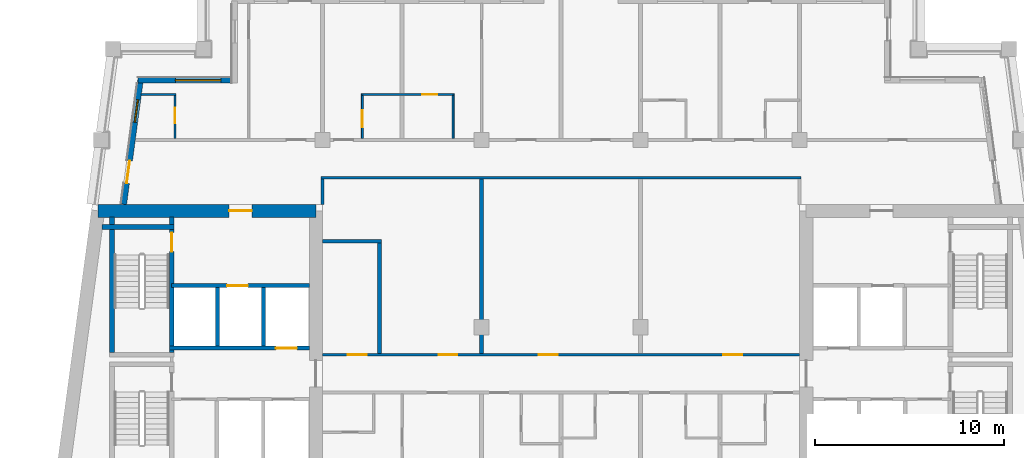
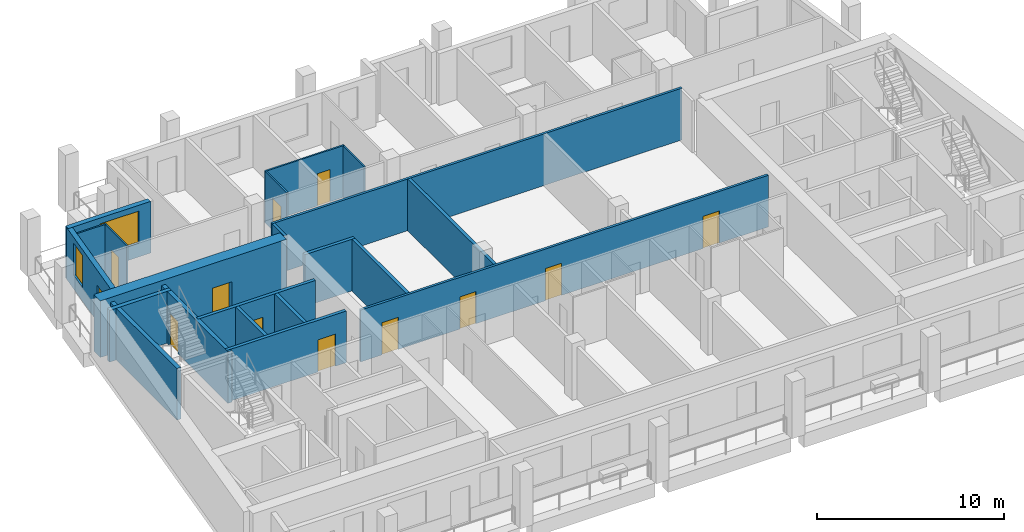
# One storey, part 4 of 13: 21 walls, 12 doors, 2 windows, 14 openings.
"""IFC4 building model written with IfcOpenShell, lengths in metres."""

from ifc_helpers import new_model, si_unit, direction, frame, frame_2d, origin, place, context, subcontext, project, spatial, rectangle, extrude, material, layer, layer_set, type_object, element, fill, save


model = new_model("IFC4")

# Units and contexts
model_context = context("Model", 3, precision=1e-05, world=origin(), true_north=direction((0.0, 1.0)))
body_context = subcontext(model_context, "Body", "Model", "MODEL_VIEW")
ifc_project = project(units=[si_unit("LENGTHUNIT", "METRE"), si_unit("AREAUNIT", "SQUARE_METRE"), si_unit("VOLUMEUNIT", "CUBIC_METRE"), si_unit("PLANEANGLEUNIT", "RADIAN"), si_unit("MASSUNIT", "GRAM", prefix="KILO")], contexts=[model_context])

# Site, building, storey
site_placement = place(None, origin())
site = spatial("IfcSite", under=ifc_project, at=site_placement, CompositionType="ELEMENT")
building_placement = place(site_placement, origin())
building = spatial("IfcBuilding", under=site, at=building_placement, Name="Candeia Pilgrim Tower and Theatre", CompositionType="ELEMENT")
storey_placement = place(building_placement, frame((0.0, 0.0, 277.5)))
storey = spatial("IfcBuildingStorey", under=building, at=storey_placement, Name="L67", CompositionType="ELEMENT", Elevation=277.5)

# Wall, opening, door
ifc_material_1 = material(Name="Concrete C40/50", Category="concrete")
ifc_layer_1 = layer(ifc_material_1, 0.699951171875)
ifc_layer_set_1 = layer_set([ifc_layer_1], Name="Core wall 700 C40/50")
wall_type_1 = type_object("IfcWallType", Name="Core wall 700 C40/50", PredefinedType="SHEAR", material=ifc_layer_set_1)
wall_1_placement = place(storey_placement, frame((88.936767578125, 132.050048828125, 0.0), z_axis=(0.0, 0.0, 1.0), x_axis=(1.0, 0.0, 0.0)))
wall_1 = element("IfcWall", 1, at=wall_1_placement, inside=storey, type_object=wall_type_1, Name="Core wall W1", PredefinedType="SHEAR", context=body_context, shape_type="SweptSolid", body=[
    extrude(rectangle(XDim=11.51318359375, YDim=0.699951171875, at=frame_2d((5.756591796875, 0.0))), origin(), (0.0, 0.0, 1.0), 3.699951171875),
])
opening_1_placement = place(wall_1_placement, frame((6.9267578125, 0.0, 0.0)))
opening_1 = element("IfcOpeningElement", 2, at=opening_1_placement, cuts=wall_1, Name="Opening L67-D048", PredefinedType="OPENING", context=body_context, shape_type="SweptSolid", body=[
    extrude(rectangle(XDim=1.199951171875, YDim=2.10009765625, at=frame_2d((0.60009765625, 1.050048828125))), frame((0.0, 0.35986328125, 0.0), z_axis=(0.0, -1.0, 0.0), x_axis=(1.0, 0.0, 0.0)), (0.0, 0.0, 1.0), 0.719970703125),
])
ifc_material_2 = material(Name="Steel fire door set", Category="steel")
door_type_1 = type_object("IfcDoorType", Name="D-1200-FD60", OperationType="NOTDEFINED", PredefinedType="DOOR", material=ifc_material_2)
door_1_placement = place(opening_1_placement, origin())
door_1 = element("IfcDoor", 3, at=door_1_placement, inside=storey, type_object=door_type_1, Name="Door L67-D048", OperationType="SINGLE_SWING_LEFT", OverallHeight=2.10009765625, OverallWidth=1.199951171875, PredefinedType="DOOR", context=body_context, shape_type="SweptSolid", body=[
    extrude(rectangle(XDim=1.199951171875, YDim=2.10009765625, at=frame_2d((0.60009765625, 1.050048828125))), frame((0.0, 0.02490234375, 0.0), z_axis=(0.0, -1.0, 0.0), x_axis=(1.0, 0.0, 0.0)), (0.0, 0.0, 1.0), 0.050048828125),
])
fill(opening_1, door_1)

# Wall, openings, door, window
ifc_material_3 = material(Name="Ceramic block masonry", Category="masonry")
ifc_layer_2 = layer(ifc_material_3, 0.300048828125)
ifc_layer_set_2 = layer_set([ifc_layer_2], Name="EW1 glazing-line wall 300")
wall_type_2 = type_object("IfcWallType", Name="EW1 glazing-line wall 300", PredefinedType="SOLIDWALL", material=ifc_layer_set_2)
wall_2_placement = place(storey_placement, frame((91.177490234375, 138.949951171875, 0.0), z_axis=(0.0, 0.0, 1.0), x_axis=(-0.133426664613, -0.991058689065, 0.0)))
wall_2 = element("IfcWall", 4, at=wall_2_placement, inside=storey, type_object=wall_type_2, Name="External wall L67-0.0", PredefinedType="SOLIDWALL", context=body_context, shape_type="SweptSolid", body=[
    extrude(rectangle(XDim=6.609130859375, YDim=0.300048828125, at=frame_2d((3.3046875, 0.0))), origin(), (0.0, 0.0, 1.0), 3.3798828125),
])
opening_2_placement = place(wall_2_placement, frame((1.039306640625, 0.0, 0.89990234375)))
opening_2 = element("IfcOpeningElement", 5, at=opening_2_placement, cuts=wall_2, Name="Opening W-B", PredefinedType="OPENING", context=body_context, shape_type="SweptSolid", body=[
    extrude(rectangle(XDim=1.199951171875, YDim=2.10009765625, at=frame_2d((0.60009765625, 1.050048828125))), frame((0.0, 0.16015625, 0.0), z_axis=(0.0, -1.0, 0.0), x_axis=(1.0, 0.0, 0.0)), (0.0, 0.0, 1.0), 0.320068359375),
])
opening_3_placement = place(wall_2_placement, frame((4.293701171875, 0.0, 0.0)))
opening_3 = element("IfcOpeningElement", 6, at=opening_3_placement, cuts=wall_2, Name="Opening L67-ED628", PredefinedType="OPENING", context=body_context, shape_type="SweptSolid", body=[
    extrude(rectangle(XDim=1.199951171875, YDim=2.39990234375, at=frame_2d((0.60009765625, 1.199951171875))), frame((0.0, 0.16015625, 0.0), z_axis=(0.0, -1.0, 0.0), x_axis=(1.0, 0.0, 0.0)), (0.0, 0.0, 1.0), 0.320068359375),
])
ifc_material_4 = material(Name="Aluminium framed glazed door", Category="aluminium")
door_type_2 = type_object("IfcDoorType", Name="Loggia door 1200x2400", OperationType="DOUBLE_DOOR_SINGLE_SWING", PredefinedType="DOOR", material=ifc_material_4)
door_2_placement = place(opening_3_placement, origin())
door_2 = element("IfcDoor", 7, at=door_2_placement, inside=storey, type_object=door_type_2, Name="Loggia door L67-ED628", OperationType="DOUBLE_DOOR_SINGLE_SWING", OverallHeight=2.39990234375, OverallWidth=1.199951171875, PredefinedType="DOOR", context=body_context, shape_type="SweptSolid", body=[
    extrude(rectangle(XDim=1.199951171875, YDim=2.39990234375, at=frame_2d((0.60009765625, 1.199951171875))), frame((0.0, 0.02490234375, 0.0), z_axis=(0.0, -1.0, 0.0), x_axis=(1.0, 0.0, 0.0)), (0.0, 0.0, 1.0), 0.050048828125),
])
fill(opening_3, door_2)
ifc_material_5 = material(Name="Aluminium framed double glazing", Category="aluminium")
window_type_1 = type_object("IfcWindowType", Name="W-B window 1200x2100", PartitioningType="SINGLE_PANEL", PredefinedType="WINDOW", material=ifc_material_5)
window_1_placement = place(opening_2_placement, origin())
window_1 = element("IfcWindow", 8, at=window_1_placement, inside=storey, type_object=window_type_1, Name="Window W-B L67", OverallHeight=2.10009765625, OverallWidth=1.199951171875, PartitioningType="SINGLE_PANEL", PredefinedType="WINDOW", context=body_context, shape_type="SweptSolid", body=[
    extrude(rectangle(XDim=1.199951171875, YDim=2.10009765625, at=frame_2d((0.60009765625, 1.050048828125))), frame((0.0, 0.030029296875, 0.0), z_axis=(0.0, -1.0, 0.0), x_axis=(1.0, 0.0, 0.0)), (0.0, 0.0, 1.0), 0.06005859375),
])
fill(opening_2, window_1)

# Wall, opening, window
wall_3_placement = place(storey_placement, frame((96.14990234375, 138.949951171875, 0.0), z_axis=(0.0, 0.0, 1.0), x_axis=(-1.0, 0.0, 0.0)))
wall_3 = element("IfcWall", 9, at=wall_3_placement, inside=storey, type_object=wall_type_2, Name="External wall L67-7.0", PredefinedType="SOLIDWALL", context=body_context, shape_type="SweptSolid", body=[
    extrude(rectangle(XDim=5.103759765625, YDim=0.300048828125, at=frame_2d((2.5517578125, 0.0))), origin(), (0.0, 0.0, 1.0), 3.3798828125),
])
opening_4_placement = place(wall_3_placement, frame((0.72509765625, 0.0, 0.89990234375)))
opening_4 = element("IfcOpeningElement", 10, at=opening_4_placement, cuts=wall_3, Name="Opening W-A", PredefinedType="OPENING", context=body_context, shape_type="SweptSolid", body=[
    extrude(rectangle(XDim=2.39990234375, YDim=2.10009765625, at=frame_2d((1.199951171875, 1.050048828125))), frame((0.0, 0.16015625, 0.0), z_axis=(0.0, -1.0, 0.0), x_axis=(1.0, 0.0, 0.0)), (0.0, 0.0, 1.0), 0.320068359375),
])
window_type_2 = type_object("IfcWindowType", Name="W-A window 2400x2100", PartitioningType="DOUBLE_PANEL_VERTICAL", PredefinedType="WINDOW", material=ifc_material_5)
window_2_placement = place(opening_4_placement, origin())
window_2 = element("IfcWindow", 11, at=window_2_placement, inside=storey, type_object=window_type_2, Name="Window W-A L67", OverallHeight=2.10009765625, OverallWidth=2.39990234375, PartitioningType="SINGLE_PANEL", PredefinedType="WINDOW", context=body_context, shape_type="SweptSolid", body=[
    extrude(rectangle(XDim=2.39990234375, YDim=2.10009765625, at=frame_2d((1.199951171875, 1.050048828125))), frame((0.0, 0.030029296875, 0.0), z_axis=(0.0, -1.0, 0.0), x_axis=(1.0, 0.0, 0.0)), (0.0, 0.0, 1.0), 0.06005859375),
])
fill(opening_4, window_2)

# Wall
ifc_material_6 = material(Name="Gypsum board partition on steel studs", Category="steel")
ifc_layer_3 = layer(ifc_material_6, 0.10009765625)
ifc_layer_set_3 = layer_set([ifc_layer_3], Name="PW-100 room partition")
wall_type_3 = type_object("IfcWallType", Name="PW-100 room partition", PredefinedType="PARTITIONING", material=ifc_layer_set_3)
wall_4_placement = place(storey_placement, frame((91.2177734375, 138.199951171875, 0.0), z_axis=(0.0, 0.0, 1.0), x_axis=(1.0, 0.0, 0.0)))
element("IfcWall", 12, at=wall_4_placement, inside=storey, type_object=wall_type_3, Name="Room partition L67-042", PredefinedType="PARTITIONING", context=body_context, shape_type="SweptSolid", body=[
    extrude(rectangle(XDim=1.832275390625, YDim=0.10009765625, at=frame_2d((0.916015625, 0.0))), origin(), (0.0, 0.0, 1.0), 3.3798828125),
])

# Wall, opening, door
wall_5_placement = place(storey_placement, frame((102.85009765625, 138.199951171875, 0.0), z_axis=(0.0, 0.0, 1.0), x_axis=(1.0, 0.0, 0.0)))
wall_5 = element("IfcWall", 13, at=wall_5_placement, inside=storey, type_object=wall_type_3, Name="Room partition L67-043", PredefinedType="PARTITIONING", context=body_context, shape_type="SweptSolid", body=[
    extrude(rectangle(XDim=4.89990234375, YDim=0.10009765625, at=frame_2d((2.449951171875, 0.0))), origin(), (0.0, 0.0, 1.0), 3.3798828125),
])
opening_5_placement = place(wall_5_placement, frame((3.219970703125, 0.0, 0.0)))
opening_5 = element("IfcOpeningElement", 14, at=opening_5_placement, cuts=wall_5, Name="Opening L67-D035", PredefinedType="OPENING", context=body_context, shape_type="SweptSolid", body=[
    extrude(rectangle(XDim=0.800048828125, YDim=2.10009765625, at=frame_2d((0.39990234375, 1.050048828125))), frame((0.0, 0.06005859375, 0.0), z_axis=(0.0, -1.0, 0.0), x_axis=(1.0, 0.0, 0.0)), (0.0, 0.0, 1.0), 0.1201171875),
])
ifc_material_7 = material(Name="Timber door leaf", Category="wood")
door_type_3 = type_object("IfcDoorType", Name="D-800", OperationType="NOTDEFINED", PredefinedType="DOOR", material=ifc_material_7)
door_3_placement = place(opening_5_placement, origin())
door_3 = element("IfcDoor", 15, at=door_3_placement, inside=storey, type_object=door_type_3, Name="Door L67-D035", OperationType="SINGLE_SWING_RIGHT", OverallHeight=2.10009765625, OverallWidth=0.800048828125, PredefinedType="DOOR", context=body_context, shape_type="SweptSolid", body=[
    extrude(rectangle(XDim=0.800048828125, YDim=2.10009765625, at=frame_2d((0.39990234375, 1.050048828125))), frame((0.0, 0.02490234375, 0.0), z_axis=(0.0, -1.0, 0.0), x_axis=(1.0, 0.0, 0.0)), (0.0, 0.0, 1.0), 0.050048828125),
])
fill(opening_5, door_3)

wall_6_placement = place(storey_placement, frame((93.0, 135.875, 0.0), z_axis=(0.0, 0.0, 1.0), x_axis=(0.0, 1.0, 0.0)))
wall_6 = element("IfcWall", 16, at=wall_6_placement, inside=storey, type_object=wall_type_3, Name="Room partition L67-053", PredefinedType="PARTITIONING", context=body_context, shape_type="SweptSolid", body=[
    extrude(rectangle(XDim=2.27490234375, YDim=0.10009765625, at=frame_2d((1.137451171875, 0.0))), origin(), (0.0, 0.0, 1.0), 3.3798828125),
])
opening_6_placement = place(wall_6_placement, frame((0.81494140625, 0.0, 0.0)))
opening_6 = element("IfcOpeningElement", 17, at=opening_6_placement, cuts=wall_6, Name="Opening L67-D030", PredefinedType="OPENING", context=body_context, shape_type="SweptSolid", body=[
    extrude(rectangle(XDim=0.800048828125, YDim=2.10009765625, at=frame_2d((0.39990234375, 1.050048828125))), frame((0.0, 0.06005859375, 0.0), z_axis=(0.0, -1.0, 0.0), x_axis=(1.0, 0.0, 0.0)), (0.0, 0.0, 1.0), 0.1201171875),
])
door_4_placement = place(opening_6_placement, origin())
door_4 = element("IfcDoor", 18, at=door_4_placement, inside=storey, type_object=door_type_3, Name="Door L67-D030", OperationType="SINGLE_SWING_LEFT", OverallHeight=2.10009765625, OverallWidth=0.800048828125, PredefinedType="DOOR", context=body_context, shape_type="SweptSolid", body=[
    extrude(rectangle(XDim=0.800048828125, YDim=2.10009765625, at=frame_2d((0.39990234375, 1.050048828125))), frame((0.0, 0.02490234375, 0.0), z_axis=(0.0, -1.0, 0.0), x_axis=(1.0, 0.0, 0.0)), (0.0, 0.0, 1.0), 0.050048828125),
])
fill(opening_6, door_4)

wall_7_placement = place(storey_placement, frame((102.89990234375, 135.875, 0.0), z_axis=(0.0, 0.0, 1.0), x_axis=(0.0, 1.0, 0.0)))
wall_7 = element("IfcWall", 19, at=wall_7_placement, inside=storey, type_object=wall_type_3, Name="Room partition L67-064", PredefinedType="PARTITIONING", context=body_context, shape_type="SweptSolid", body=[
    extrude(rectangle(XDim=2.27490234375, YDim=0.10009765625, at=frame_2d((1.137451171875, 0.0))), origin(), (0.0, 0.0, 1.0), 3.3798828125),
])
opening_7_placement = place(wall_7_placement, frame((0.594970703125, 0.0, 0.0)))
opening_7 = element("IfcOpeningElement", 20, at=opening_7_placement, cuts=wall_7, Name="Opening L67-D032", PredefinedType="OPENING", context=body_context, shape_type="SweptSolid", body=[
    extrude(rectangle(XDim=0.89990234375, YDim=2.10009765625, at=frame_2d((0.449951171875, 1.050048828125))), frame((0.0, 0.06005859375, 0.0), z_axis=(0.0, -1.0, 0.0), x_axis=(1.0, 0.0, 0.0)), (0.0, 0.0, 1.0), 0.1201171875),
])
door_type_4 = type_object("IfcDoorType", Name="D-900", OperationType="NOTDEFINED", PredefinedType="DOOR", material=ifc_material_7)
door_5_placement = place(opening_7_placement, origin())
door_5 = element("IfcDoor", 21, at=door_5_placement, inside=storey, type_object=door_type_4, Name="Door L67-D032", OperationType="SINGLE_SWING_LEFT", OverallHeight=2.10009765625, OverallWidth=0.89990234375, PredefinedType="DOOR", context=body_context, shape_type="SweptSolid", body=[
    extrude(rectangle(XDim=0.89990234375, YDim=2.10009765625, at=frame_2d((0.449951171875, 1.050048828125))), frame((0.0, 0.02490234375, 0.0), z_axis=(0.0, -1.0, 0.0), x_axis=(1.0, 0.0, 0.0)), (0.0, 0.0, 1.0), 0.050048828125),
])
fill(opening_7, door_5)

# Wall
wall_8_placement = place(storey_placement, frame((107.699951171875, 135.875, 0.0), z_axis=(0.0, 0.0, 1.0), x_axis=(0.0, 1.0, 0.0)))
element("IfcWall", 22, at=wall_8_placement, inside=storey, type_object=wall_type_3, Name="Room partition L67-069", PredefinedType="PARTITIONING", context=body_context, shape_type="SweptSolid", body=[
    extrude(rectangle(XDim=2.27490234375, YDim=0.10009765625, at=frame_2d((1.137451171875, 0.0))), origin(), (0.0, 0.0, 1.0), 3.3798828125),
])

# Wall, openings, doors
ifc_layer_4 = layer(ifc_material_6, 0.14990234375)
ifc_layer_set_4 = layer_set([ifc_layer_4], Name="PW-150 unit wall")
wall_type_4 = type_object("IfcWallType", Name="PW-150 unit wall", PredefinedType="PARTITIONING", material=ifc_layer_set_4)
wall_9_placement = place(storey_placement, frame((100.800048828125, 124.449951171875, 0.0), z_axis=(0.0, 0.0, 1.0), x_axis=(1.0, 0.0, 0.0)))
wall_9 = element("IfcWall", 23, at=wall_9_placement, inside=storey, type_object=wall_type_4, Name="Unit wall L67-028", PredefinedType="PARTITIONING", context=body_context, shape_type="SweptSolid", body=[
    extrude(rectangle(XDim=25.199951171875, YDim=0.14990234375, at=frame_2d((12.60009765625, 0.0))), origin(), (0.0, 0.0, 1.0), 3.3798828125),
])
opening_8_placement = place(wall_9_placement, frame((6.125, 0.0, 0.0)))
opening_8 = element("IfcOpeningElement", 24, at=opening_8_placement, cuts=wall_9, Name="Opening L67-D042", PredefinedType="OPENING", context=body_context, shape_type="SweptSolid", body=[
    extrude(rectangle(XDim=1.0, YDim=2.10009765625, at=frame_2d((0.5, 1.050048828125))), frame((0.0, 0.0849609375, 0.0), z_axis=(0.0, -1.0, 0.0), x_axis=(1.0, 0.0, 0.0)), (0.0, 0.0, 1.0), 0.169921875),
])
opening_9_placement = place(wall_9_placement, frame((1.324951171875, 0.0, 0.0)))
opening_9 = element("IfcOpeningElement", 25, at=opening_9_placement, cuts=wall_9, Name="Opening L67-D043", PredefinedType="OPENING", context=body_context, shape_type="SweptSolid", body=[
    extrude(rectangle(XDim=1.0, YDim=2.10009765625, at=frame_2d((0.5, 1.050048828125))), frame((0.0, 0.0849609375, 0.0), z_axis=(0.0, -1.0, 0.0), x_axis=(1.0, 0.0, 0.0)), (0.0, 0.0, 1.0), 0.169921875),
])
opening_10_placement = place(wall_9_placement, frame((11.429931640625, 0.0, 0.0)))
opening_10 = element("IfcOpeningElement", 26, at=opening_10_placement, cuts=wall_9, Name="Opening L67-D044", PredefinedType="OPENING", context=body_context, shape_type="SweptSolid", body=[
    extrude(rectangle(XDim=1.0, YDim=2.10009765625, at=frame_2d((0.5, 1.050048828125))), frame((0.0, 0.0849609375, 0.0), z_axis=(0.0, -1.0, 0.0), x_axis=(1.0, 0.0, 0.0)), (0.0, 0.0, 1.0), 0.169921875),
])
opening_11_placement = place(wall_9_placement, frame((21.169921875, 0.0, 0.0)))
opening_11 = element("IfcOpeningElement", 27, at=opening_11_placement, cuts=wall_9, Name="Opening L67-D045", PredefinedType="OPENING", context=body_context, shape_type="SweptSolid", body=[
    extrude(rectangle(XDim=1.0, YDim=2.10009765625, at=frame_2d((0.5, 1.050048828125))), frame((0.0, 0.0849609375, 0.0), z_axis=(0.0, -1.0, 0.0), x_axis=(1.0, 0.0, 0.0)), (0.0, 0.0, 1.0), 0.169921875),
])
door_type_5 = type_object("IfcDoorType", Name="D-1000-FD30S", OperationType="NOTDEFINED", PredefinedType="DOOR", material=ifc_material_2)
door_6_placement = place(opening_8_placement, origin())
door_6 = element("IfcDoor", 28, at=door_6_placement, inside=storey, type_object=door_type_5, Name="Door L67-D042", OperationType="SINGLE_SWING_LEFT", OverallHeight=2.10009765625, OverallWidth=1.0, PredefinedType="DOOR", context=body_context, shape_type="SweptSolid", body=[
    extrude(rectangle(XDim=1.0, YDim=2.10009765625, at=frame_2d((0.5, 1.050048828125))), frame((0.0, 0.02490234375, 0.0), z_axis=(0.0, -1.0, 0.0), x_axis=(1.0, 0.0, 0.0)), (0.0, 0.0, 1.0), 0.050048828125),
])
fill(opening_8, door_6)
door_7_placement = place(opening_9_placement, origin())
door_7 = element("IfcDoor", 29, at=door_7_placement, inside=storey, type_object=door_type_5, Name="Door L67-D043", OperationType="SINGLE_SWING_RIGHT", OverallHeight=2.10009765625, OverallWidth=1.0, PredefinedType="DOOR", context=body_context, shape_type="SweptSolid", body=[
    extrude(rectangle(XDim=1.0, YDim=2.10009765625, at=frame_2d((0.5, 1.050048828125))), frame((0.0, 0.02490234375, 0.0), z_axis=(0.0, -1.0, 0.0), x_axis=(1.0, 0.0, 0.0)), (0.0, 0.0, 1.0), 0.050048828125),
])
fill(opening_9, door_7)
door_8_placement = place(opening_10_placement, origin())
door_8 = element("IfcDoor", 30, at=door_8_placement, inside=storey, type_object=door_type_5, Name="Door L67-D044", OperationType="SINGLE_SWING_LEFT", OverallHeight=2.10009765625, OverallWidth=1.0, PredefinedType="DOOR", context=body_context, shape_type="SweptSolid", body=[
    extrude(rectangle(XDim=1.0, YDim=2.10009765625, at=frame_2d((0.5, 1.050048828125))), frame((0.0, 0.02490234375, 0.0), z_axis=(0.0, -1.0, 0.0), x_axis=(1.0, 0.0, 0.0)), (0.0, 0.0, 1.0), 0.050048828125),
])
fill(opening_10, door_8)
door_9_placement = place(opening_11_placement, origin())
door_9 = element("IfcDoor", 31, at=door_9_placement, inside=storey, type_object=door_type_5, Name="Door L67-D045", OperationType="SINGLE_SWING_RIGHT", OverallHeight=2.10009765625, OverallWidth=1.0, PredefinedType="DOOR", context=body_context, shape_type="SweptSolid", body=[
    extrude(rectangle(XDim=1.0, YDim=2.10009765625, at=frame_2d((0.5, 1.050048828125))), frame((0.0, 0.02490234375, 0.0), z_axis=(0.0, -1.0, 0.0), x_axis=(1.0, 0.0, 0.0)), (0.0, 0.0, 1.0), 0.050048828125),
])
fill(opening_11, door_9)

# Walls
wall_10_placement = place(storey_placement, frame((100.72509765625, 133.800048828125, 0.0), z_axis=(0.0, 0.0, 1.0), x_axis=(1.0, 0.0, 0.0)))
element("IfcWall", 32, at=wall_10_placement, inside=storey, type_object=wall_type_4, Name="Unit wall L67-038", PredefinedType="PARTITIONING", context=body_context, shape_type="SweptSolid", body=[
    extrude(rectangle(XDim=25.349853515625, YDim=0.14990234375, at=frame_2d((12.6748046875, 0.0))), origin(), (0.0, 0.0, 1.0), 3.3798828125),
])
wall_11_placement = place(storey_placement, frame((100.800048828125, 132.39990234375, 0.0), z_axis=(0.0, 0.0, 1.0), x_axis=(0.0, 1.0, 0.0)))
element("IfcWall", 33, at=wall_11_placement, inside=storey, type_object=wall_type_4, Name="Unit wall L67-063", PredefinedType="PARTITIONING", context=body_context, shape_type="SweptSolid", body=[
    extrude(rectangle(XDim=1.3251953125, YDim=0.14990234375, at=frame_2d((0.66259765625, 0.0))), origin(), (0.0, 0.0, 1.0), 3.3798828125),
])
ifc_layer_5 = layer(ifc_material_6, 0.199951171875)
ifc_layer_set_5 = layer_set([ifc_layer_5], Name="PW-200 party wall")
wall_type_5 = type_object("IfcWallType", Name="PW-200 party wall", PredefinedType="PARTITIONING", material=ifc_layer_set_5)
wall_12_placement = place(storey_placement, frame((100.800048828125, 130.449951171875, 0.0), z_axis=(0.0, 0.0, 1.0), x_axis=(1.0, 0.0, 0.0)))
element("IfcWall", 34, at=wall_12_placement, inside=storey, type_object=wall_type_5, Name="Party wall L67-035", PredefinedType="PARTITIONING", context=body_context, shape_type="SweptSolid", body=[
    extrude(rectangle(XDim=3.099853515625, YDim=0.199951171875, at=frame_2d((1.5498046875, 0.0))), origin(), (0.0, 0.0, 1.0), 3.3798828125),
])
wall_13_placement = place(storey_placement, frame((103.800048828125, 124.52490234375, 0.0), z_axis=(0.0, 0.0, 1.0), x_axis=(0.0, 1.0, 0.0)))
element("IfcWall", 35, at=wall_13_placement, inside=storey, type_object=wall_type_5, Name="Party wall L67-066", PredefinedType="PARTITIONING", context=body_context, shape_type="SweptSolid", body=[
    extrude(rectangle(XDim=5.8251953125, YDim=0.199951171875, at=frame_2d((2.91259765625, 0.0))), origin(), (0.0, 0.0, 1.0), 3.3798828125),
])
wall_14_placement = place(storey_placement, frame((109.199951171875, 124.52490234375, 0.0), z_axis=(0.0, 0.0, 1.0), x_axis=(0.0, 1.0, 0.0)))
element("IfcWall", 36, at=wall_14_placement, inside=storey, type_object=wall_type_5, Name="Party wall L67-072", PredefinedType="PARTITIONING", context=body_context, shape_type="SweptSolid", body=[
    extrude(rectangle(XDim=9.2001953125, YDim=0.199951171875, at=frame_2d((4.60009765625, 0.0))), origin(), (0.0, 0.0, 1.0), 3.3798828125),
])

# Wall, opening, door
ifc_layer_6 = layer(ifc_material_1, 0.199951171875)
ifc_layer_set_6 = layer_set([ifc_layer_6], Name="SW-200 shaft wall")
wall_type_6 = type_object("IfcWallType", Name="SW-200 shaft wall", PredefinedType="PARTITIONING", material=ifc_layer_set_6)
wall_15_placement = place(storey_placement, frame((92.701904296875, 124.800048828125, 0.0), z_axis=(0.0, 0.0, 1.0), x_axis=(1.0, 0.0, 0.0)))
wall_15 = element("IfcWall", 37, at=wall_15_placement, inside=storey, type_object=wall_type_6, Name="Shaft wall L67-029", PredefinedType="PARTITIONING", context=body_context, shape_type="SweptSolid", body=[
    extrude(rectangle(XDim=7.398193359375, YDim=0.199951171875, at=frame_2d((3.69921875, 0.0))), origin(), (0.0, 0.0, 1.0), 3.3798828125),
])
opening_12_placement = place(wall_15_placement, frame((5.635986328125, 0.0, 0.0)))
opening_12 = element("IfcOpeningElement", 38, at=opening_12_placement, cuts=wall_15, Name="Opening L67-LD04", PredefinedType="OPENING", context=body_context, shape_type="SweptSolid", body=[
    extrude(rectangle(XDim=1.10009765625, YDim=2.10009765625, at=frame_2d((0.550048828125, 1.050048828125))), frame((0.0, 0.10986328125, 0.0), z_axis=(0.0, -1.0, 0.0), x_axis=(1.0, 0.0, 0.0)), (0.0, 0.0, 1.0), 0.219970703125),
])
ifc_material_8 = material(Name="Glazed aluminium landing door", Category="aluminium")
door_type_6 = type_object("IfcDoorType", Name="LD-1100-EI120", OperationType="SLIDING_TO_LEFT", PredefinedType="DOOR", material=ifc_material_8)
door_10_placement = place(opening_12_placement, origin())
door_10 = element("IfcDoor", 39, at=door_10_placement, inside=storey, type_object=door_type_6, Name="Landing door 04 L67", OperationType="SLIDING_TO_LEFT", OverallHeight=2.10009765625, OverallWidth=1.10009765625, PredefinedType="DOOR", context=body_context, shape_type="SweptSolid", body=[
    extrude(rectangle(XDim=1.10009765625, YDim=2.10009765625, at=frame_2d((0.550048828125, 1.050048828125))), frame((0.0, 0.02490234375, 0.0), z_axis=(0.0, -1.0, 0.0), x_axis=(1.0, 0.0, 0.0)), (0.0, 0.0, 1.0), 0.050048828125),
])
fill(opening_12, door_10)

wall_16_placement = place(storey_placement, frame((92.826904296875, 128.10009765625, 0.0), z_axis=(0.0, 0.0, 1.0), x_axis=(1.0, 0.0, 0.0)))
wall_16 = element("IfcWall", 40, at=wall_16_placement, inside=storey, type_object=wall_type_6, Name="Shaft wall L67-032", PredefinedType="PARTITIONING", context=body_context, shape_type="SweptSolid", body=[
    extrude(rectangle(XDim=7.273193359375, YDim=0.199951171875, at=frame_2d((3.63671875, 0.0))), origin(), (0.0, 0.0, 1.0), 3.3798828125),
])
opening_13_placement = place(wall_16_placement, frame((2.929931640625, 0.0, 0.0)))
opening_13 = element("IfcOpeningElement", 41, at=opening_13_placement, cuts=wall_16, Name="Opening L67-LD03", PredefinedType="OPENING", context=body_context, shape_type="SweptSolid", body=[
    extrude(rectangle(XDim=1.10009765625, YDim=2.10009765625, at=frame_2d((0.550048828125, 1.050048828125))), frame((0.0, 0.10986328125, 0.0), z_axis=(0.0, -1.0, 0.0), x_axis=(1.0, 0.0, 0.0)), (0.0, 0.0, 1.0), 0.219970703125),
])
door_11_placement = place(opening_13_placement, origin())
door_11 = element("IfcDoor", 42, at=door_11_placement, inside=storey, type_object=door_type_6, Name="Landing door 03 L67", OperationType="SLIDING_TO_LEFT", OverallHeight=2.10009765625, OverallWidth=1.10009765625, PredefinedType="DOOR", context=body_context, shape_type="SweptSolid", body=[
    extrude(rectangle(XDim=1.10009765625, YDim=2.10009765625, at=frame_2d((0.550048828125, 1.050048828125))), frame((0.0, 0.02490234375, 0.0), z_axis=(0.0, -1.0, 0.0), x_axis=(1.0, 0.0, 0.0)), (0.0, 0.0, 1.0), 0.050048828125),
])
fill(opening_13, door_11)

# Walls
for number, where, z_axis, x_axis, name in (
    (43, (95.251220703125, 124.89990234375, 0.0), (0.0, 0.0, 1.0), (0.0, 1.0, 0.0), "Shaft wall L67-056"),
    (44, (97.67578125, 124.89990234375, 0.0), (0.0, 0.0, 1.0), (0.0, 1.0, 0.0), "Shaft wall L67-060"),
):
    element("IfcWall", number, at=place(storey_placement, frame(where, z_axis=z_axis, x_axis=x_axis)), inside=storey, type_object=wall_type_6, Name=name, PredefinedType="PARTITIONING", context=body_context, shape_type="SweptSolid", body=[
        extrude(rectangle(XDim=3.10009765625, YDim=0.199951171875, at=frame_2d((1.550048828125, 0.0))), origin(), (0.0, 0.0, 1.0), 3.3798828125),
    ])
ifc_layer_7 = layer(ifc_material_1, 0.25)
ifc_layer_set_7 = layer_set([ifc_layer_7], Name="SW-250 stair wall")
wall_type_7 = type_object("IfcWallType", Name="SW-250 stair wall", PredefinedType="PARTITIONING", material=ifc_layer_set_7)
wall_17_placement = place(storey_placement, frame((89.1455078125, 131.199951171875, 0.0), z_axis=(0.0, 0.0, 1.0), x_axis=(1.0, 0.0, 0.0)))
element("IfcWall", 45, at=wall_17_placement, inside=storey, type_object=wall_type_7, Name="Stair wall L67-036", PredefinedType="PARTITIONING", context=body_context, shape_type="SweptSolid", body=[
    extrude(rectangle(XDim=3.806396484375, YDim=0.25, at=frame_2d((1.9033203125, 0.0))), origin(), (0.0, 0.0, 1.0), 3.3798828125),
])
wall_18_placement = place(storey_placement, frame((89.677001953125, 124.574951171875, 0.0), z_axis=(0.0, 0.0, 1.0), x_axis=(0.0, 1.0, 0.0)))
element("IfcWall", 46, at=wall_18_placement, inside=storey, type_object=wall_type_7, Name="Stair wall L67-047", PredefinedType="PARTITIONING", context=body_context, shape_type="SweptSolid", body=[
    extrude(rectangle(XDim=7.155029296875, YDim=0.25, at=frame_2d((3.57763671875, 0.0))), origin(), (0.0, 0.0, 1.0), 3.3798828125),
])

# Wall, opening, door
wall_19_placement = place(storey_placement, frame((92.826904296875, 124.574951171875, 0.0), z_axis=(0.0, 0.0, 1.0), x_axis=(0.0, 1.0, 0.0)))
wall_19 = element("IfcWall", 47, at=wall_19_placement, inside=storey, type_object=wall_type_7, Name="Stair wall L67-052", PredefinedType="PARTITIONING", context=body_context, shape_type="SweptSolid", body=[
    extrude(rectangle(XDim=7.155029296875, YDim=0.25, at=frame_2d((3.57763671875, 0.0))), origin(), (0.0, 0.0, 1.0), 3.3798828125),
])
opening_14_placement = place(wall_19_placement, frame((5.324951171875, 0.0, 0.0)))
opening_14 = element("IfcOpeningElement", 48, at=opening_14_placement, cuts=wall_19, Name="Opening L67-D003", PredefinedType="OPENING", context=body_context, shape_type="SweptSolid", body=[
    extrude(rectangle(XDim=1.0, YDim=2.10009765625, at=frame_2d((0.5, 1.050048828125))), frame((0.0, 0.135009765625, 0.0), z_axis=(0.0, -1.0, 0.0), x_axis=(1.0, 0.0, 0.0)), (0.0, 0.0, 1.0), 0.27001953125),
])
door_type_7 = type_object("IfcDoorType", Name="D-1000-FD60", OperationType="NOTDEFINED", PredefinedType="DOOR", material=ifc_material_2)
door_12_placement = place(opening_14_placement, origin())
door_12 = element("IfcDoor", 49, at=door_12_placement, inside=storey, type_object=door_type_7, Name="Door L67-D003", OperationType="SINGLE_SWING_RIGHT", OverallHeight=2.10009765625, OverallWidth=1.0, PredefinedType="DOOR", context=body_context, shape_type="SweptSolid", body=[
    extrude(rectangle(XDim=1.0, YDim=2.10009765625, at=frame_2d((0.5, 1.050048828125))), frame((0.0, 0.02490234375, 0.0), z_axis=(0.0, -1.0, 0.0), x_axis=(1.0, 0.0, 0.0)), (0.0, 0.0, 1.0), 0.050048828125),
])
fill(opening_14, door_12)

save(model, "model.ifc")
